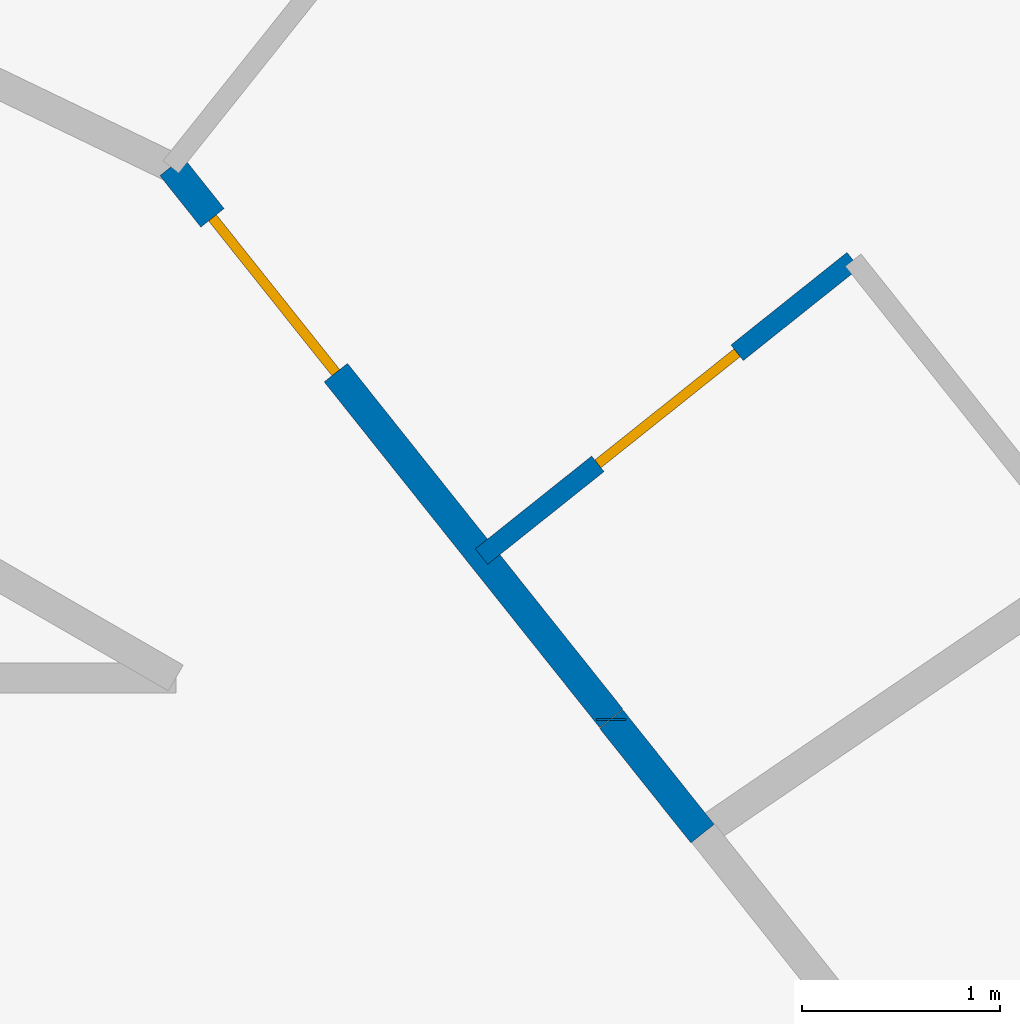
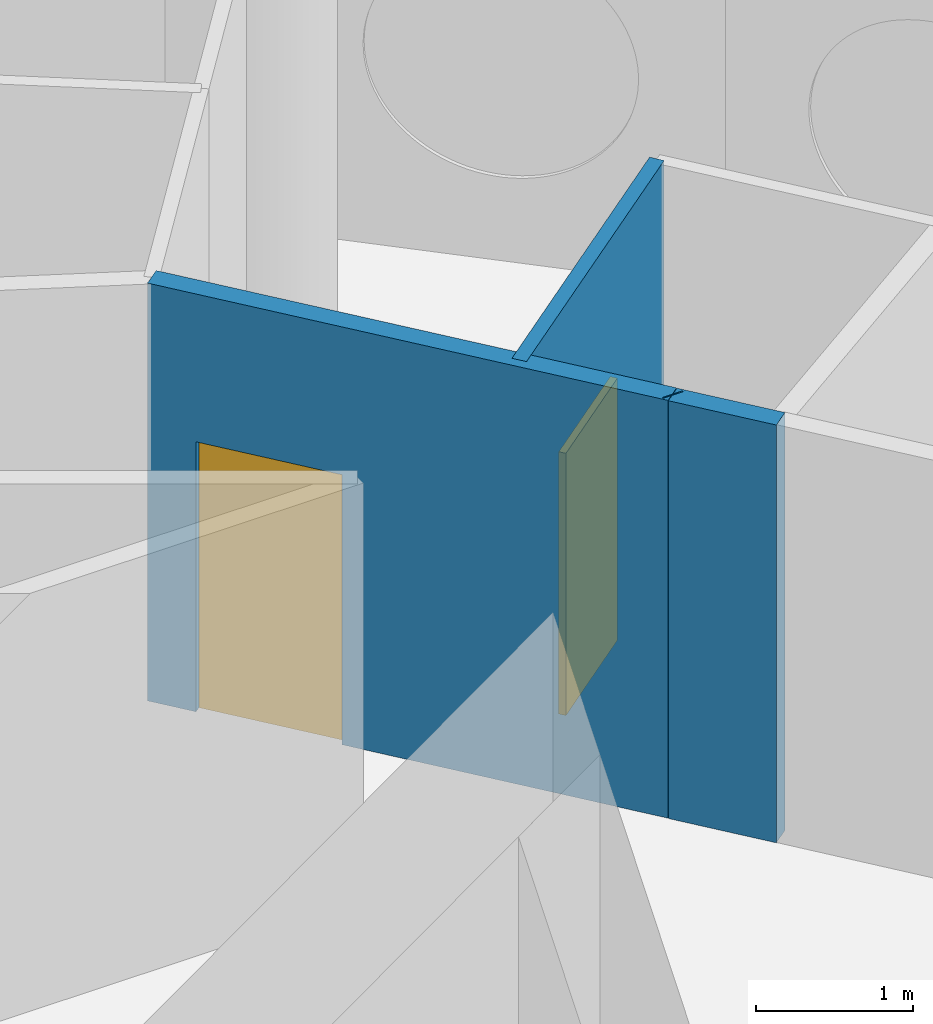
# One storey, part 9 of 13: 4 walls, 2 doors, 2 openings.
"""IFC4 building model written with IfcOpenShell, lengths in metres."""

from ifc_helpers import new_model, si_unit, direction, frame, frame_2d, origin, place, context, subcontext, project, spatial, rectangle, extrude, material, layer, layer_set, type_object, element, fill, save


model = new_model("IFC4")

# Units and contexts
model_context = context("Model", 3, precision=1e-05, world=origin(), true_north=direction((0.0, 1.0)))
body_context = subcontext(model_context, "Body", "Model", "MODEL_VIEW")
ifc_project = project(units=[si_unit("LENGTHUNIT", "METRE"), si_unit("AREAUNIT", "SQUARE_METRE"), si_unit("VOLUMEUNIT", "CUBIC_METRE"), si_unit("PLANEANGLEUNIT", "RADIAN"), si_unit("MASSUNIT", "GRAM", prefix="KILO")], contexts=[model_context])

# Site, building, storey
site_placement = place(None, origin())
site = spatial("IfcSite", under=ifc_project, at=site_placement, CompositionType="ELEMENT")
building_placement = place(site_placement, origin())
building = spatial("IfcBuilding", under=site, at=building_placement, Name="Tracery Tower", CompositionType="ELEMENT")
storey_placement = place(building_placement, frame((0.0, 0.0, 259.800048828125)))
storey = spatial("IfcBuildingStorey", under=building, at=storey_placement, Name="L67", CompositionType="ELEMENT", Elevation=259.800048828125)

# Wall, opening, door
ifc_material_1 = material(Name="Plasterboard on steel studs", Category="steel")
ifc_layer_1 = layer(ifc_material_1, 0.10009765625)
ifc_layer_set_1 = layer_set([ifc_layer_1], Name="Partition 100 wet wall")
wall_type_1 = type_object("IfcWallType", Name="Partition 100 wet wall", PredefinedType="PARTITIONING", material=ifc_layer_set_1)
wall_1_placement = place(storey_placement, frame((10.64501953125, 9.4130859375, 0.0), z_axis=(0.0, 0.0, 1.0), x_axis=(0.781830263661, 0.623491330191, 0.0)))
wall_1 = element("IfcWall", 1, at=wall_1_placement, inside=storey, type_object=wall_type_1, Name="Wet wall RC3-064", PredefinedType="PARTITIONING", context=body_context, shape_type="SweptSolid", body=[
    extrude(rectangle(XDim=2.400634765625, YDim=0.10009765625, at=frame_2d((1.2001953125, 0.0))), origin(), (0.0, 0.0, 1.0), 3.25),
])
opening_1_placement = place(wall_1_placement, frame((0.7509765625, 0.0, 0.0)))
opening_1 = element("IfcOpeningElement", 2, at=opening_1_placement, cuts=wall_1, Name="Opening RC3-13", PredefinedType="OPENING", context=body_context, shape_type="SweptSolid", body=[
    extrude(rectangle(XDim=0.89990234375, YDim=2.0400390625, at=frame_2d((0.449951171875, 1.02001953125))), frame((0.0, 0.050048828125, 0.0), z_axis=(0.0, -1.0, 0.0), x_axis=(1.0, 0.0, 0.0)), (0.0, 0.0, 1.0), 0.10009765625),
])
ifc_material_2 = material(Name="Timber door leaf", Category="wood")
door_type_1 = type_object("IfcDoorType", Name="Door en-suite 900", OperationType="NOTDEFINED", PredefinedType="DOOR", material=ifc_material_2)
door_1_placement = place(opening_1_placement, origin())
door_1 = element("IfcDoor", 3, at=door_1_placement, inside=storey, type_object=door_type_1, Name="En-suite door RC3-13", OperationType="SINGLE_SWING_LEFT", OverallHeight=2.0400390625, OverallWidth=0.89990234375, PredefinedType="DOOR", context=body_context, shape_type="SweptSolid", body=[
    extrude(rectangle(XDim=0.89990234375, YDim=2.0400390625, at=frame_2d((0.449951171875, 1.02001953125))), frame((0.0, 0.02490234375, 0.0), z_axis=(0.0, -1.0, 0.0), x_axis=(1.0, 0.0, 0.0)), (0.0, 0.0, 1.0), 0.050048828125),
])
fill(opening_1, door_1)

ifc_material_3 = material(Name="Plasterboard on steel studs", Category="steel")
ifc_layer_2 = layer(ifc_material_3, 0.14990234375)
ifc_layer_set_2 = layer_set([ifc_layer_2], Name="Partition 150 corridor wall")
wall_type_2 = type_object("IfcWallType", Name="Partition 150 corridor wall", PredefinedType="PARTITIONING", material=ifc_layer_set_2)
wall_2_placement = place(storey_placement, frame((9.0791015625, 11.383544921875, 0.0), z_axis=(0.0, 0.0, 1.0), x_axis=(0.623165080354, -0.782090328944, 0.0)))
wall_2 = element("IfcWall", 4, at=wall_2_placement, inside=storey, type_object=wall_type_2, Name="Corridor wall RC3-005", PredefinedType="PARTITIONING", context=body_context, shape_type="SweptSolid", body=[
    extrude(rectangle(XDim=3.56396484375, YDim=0.14990234375, at=frame_2d((1.781982421875, 0.0))), origin(), (0.0, 0.0, 1.0), 3.25),
])
opening_2_placement = place(wall_2_placement, frame((0.33203125, 0.0, 0.0)))
opening_2 = element("IfcOpeningElement", 5, at=opening_2_placement, cuts=wall_2, Name="Opening RC3-12", PredefinedType="OPENING", context=body_context, shape_type="SweptSolid", body=[
    extrude(rectangle(XDim=1.0, YDim=2.10009765625, at=frame_2d((0.5, 1.050048828125))), frame((0.0, 0.074951171875, 0.0), z_axis=(0.0, -1.0, 0.0), x_axis=(1.0, 0.0, 0.0)), (0.0, 0.0, 1.0), 0.14990234375),
])
ifc_material_4 = material(Name="Timber door leaf", Category="wood")
door_type_2 = type_object("IfcDoorType", Name="Door unit entrance 1000", OperationType="NOTDEFINED", PredefinedType="DOOR", material=ifc_material_4)
door_2_placement = place(opening_2_placement, origin())
door_2 = element("IfcDoor", 6, at=door_2_placement, inside=storey, type_object=door_type_2, Name="Unit entrance door RC3-12", OperationType="SINGLE_SWING_RIGHT", OverallHeight=2.10009765625, OverallWidth=1.0, PredefinedType="DOOR", context=body_context, shape_type="SweptSolid", body=[
    extrude(rectangle(XDim=1.0, YDim=2.10009765625, at=frame_2d((0.5, 1.050048828125))), frame((0.0, 0.02490234375, 0.0), z_axis=(0.0, -1.0, 0.0), x_axis=(1.0, 0.0, 0.0)), (0.0, 0.0, 1.0), 0.050048828125),
])
fill(opening_2, door_2)

# Walls
wall_3_placement = place(storey_placement, frame((11.300048828125, 8.5859375, 0.0), z_axis=(0.0, 0.0, 1.0), x_axis=(0.0, 1.0, 0.0)))
element("IfcWall", 7, at=wall_3_placement, inside=storey, type_object=wall_type_2, Name="Corridor wall RC3-007", PredefinedType="PARTITIONING", context=body_context, shape_type="SweptSolid", body=[
    extrude(rectangle(XDim=0.01025390625, YDim=0.14990234375, at=frame_2d((0.005126953125, 0.0))), origin(), (0.0, 0.0, 1.0), 3.25),
])
wall_4_placement = place(storey_placement, frame((11.300048828125, 8.592041015625, 0.0), z_axis=(0.0, 0.0, 1.0), x_axis=(0.623405636383, -0.781898594785, 0.0)))
element("IfcWall", 8, at=wall_4_placement, inside=storey, type_object=wall_type_2, Name="Corridor wall RC3-023", PredefinedType="PARTITIONING", context=body_context, shape_type="SweptSolid", body=[
    extrude(rectangle(XDim=0.739501953125, YDim=0.14990234375, at=frame_2d((0.36962890625, 0.0))), origin(), (0.0, 0.0, 1.0), 3.25),
])

save(model, "model.ifc")
